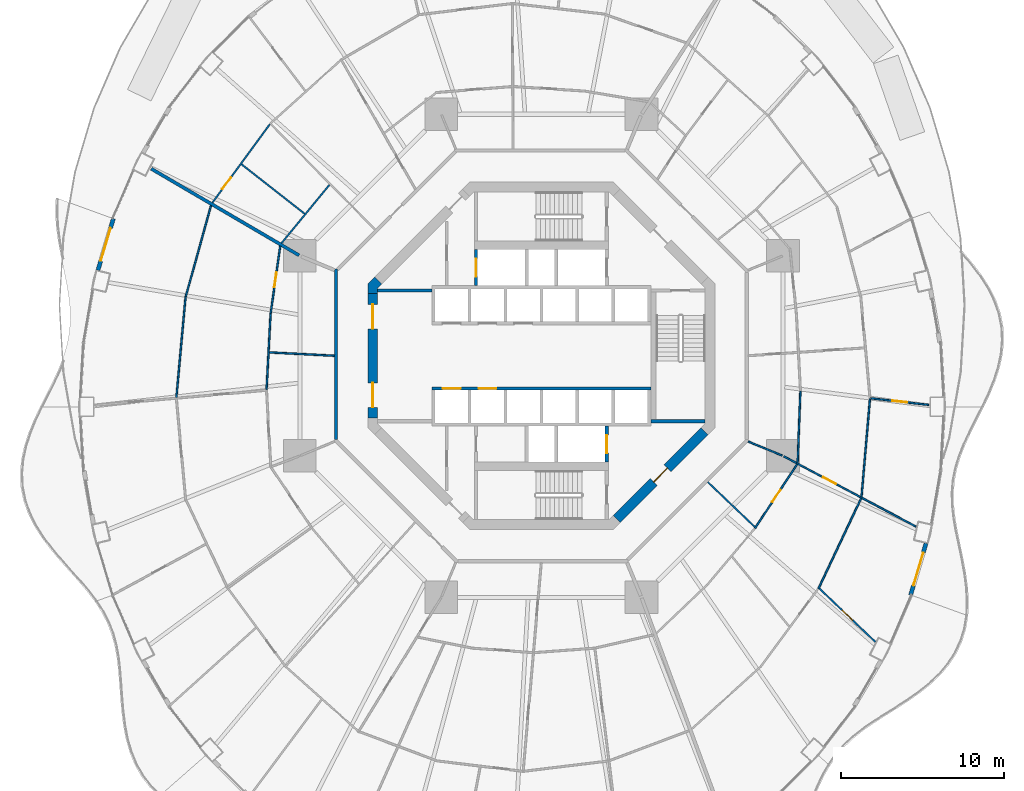
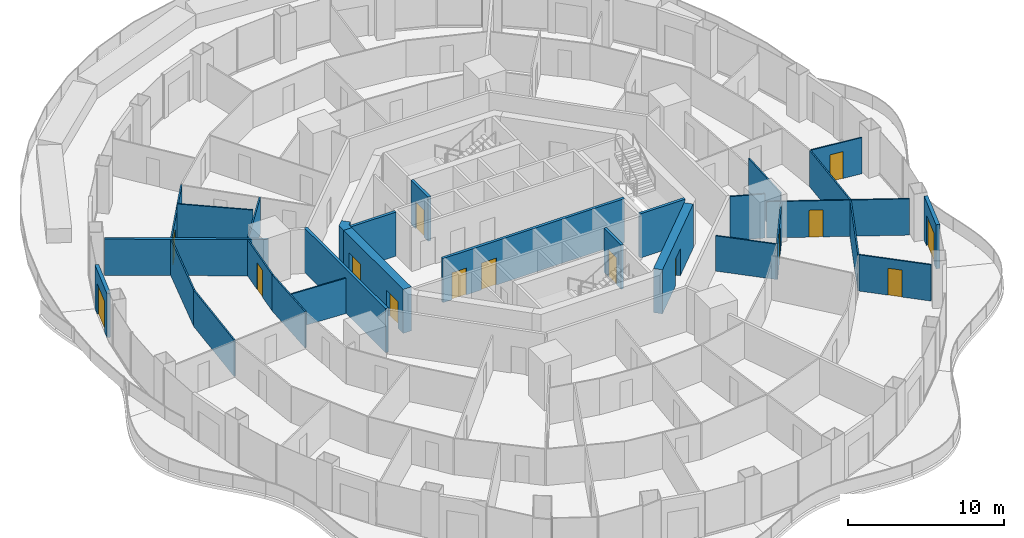
# One storey, part 14 of 20: 29 walls, 15 doors, 15 openings.
"""IFC4 building model written with IfcOpenShell, lengths in metres."""

from ifc_helpers import new_model, si_unit, direction, frame, frame_2d, origin, place, context, subcontext, project, spatial, polyline, rectangle, outline, extrude, material, layer, layer_set, type_object, element, fill, save


model = new_model("IFC4")

# Units and contexts
model_context = context("Model", 3, precision=1e-05, world=origin(), true_north=direction((0.0, 1.0)))
body_context = subcontext(model_context, "Body", "Model", "MODEL_VIEW")
ifc_project = project(units=[si_unit("LENGTHUNIT", "METRE"), si_unit("AREAUNIT", "SQUARE_METRE"), si_unit("VOLUMEUNIT", "CUBIC_METRE"), si_unit("PLANEANGLEUNIT", "RADIAN"), si_unit("MASSUNIT", "GRAM", prefix="KILO")], contexts=[model_context])

# Site, building, storey
site_placement = place(None, origin())
site = spatial("IfcSite", under=ifc_project, at=site_placement, CompositionType="ELEMENT")
building_placement = place(site_placement, origin())
building = spatial("IfcBuilding", under=site, at=building_placement, Name="Nagisa Residences", CompositionType="ELEMENT")
storey_placement = place(building_placement, frame((0.0, 0.0, 119.60009765625)))
storey = spatial("IfcBuildingStorey", under=building, at=storey_placement, Name="L29", CompositionType="ELEMENT", Elevation=119.60009765625)

# Walls
ifc_material_1 = material(Name="Gypsum board on steel studs", Category="steel")
ifc_layer_1 = layer(ifc_material_1, 0.199951171875)
ifc_layer_set_1 = layer_set([ifc_layer_1], Name="Apartment compartment wall EI60 200")
wall_type_1 = type_object("IfcWallType", Name="Apartment compartment wall EI60 200", PredefinedType="PARTITIONING", material=ifc_layer_set_1)
wall_1_placement = place(storey_placement, frame((-14.8251953125, 6.148193359375, 0.0), z_axis=(0.0, 0.0, 1.0), x_axis=(-0.862852031662, 0.505456597006, 0.0)))
element("IfcWall", 1, at=wall_1_placement, inside=storey, type_object=wall_type_1, Name="wall:L29:u03", PredefinedType="PARTITIONING", context=body_context, shape_type="SweptSolid", body=[
    extrude(rectangle(XDim=10.487060546875, YDim=0.199951171875, at=frame_2d((5.24365234375, 0.0))), origin(), (0.0, 0.0, 1.0), 2.827880859375),
])
ifc_material_2 = material(Name="Gypsum board on steel studs", Category="steel")
ifc_layer_2 = layer(ifc_material_2, 0.199951171875)
ifc_layer_set_2 = layer_set([ifc_layer_2], Name="Apartment entry wall EI60 200")
wall_type_2 = type_object("IfcWallType", Name="Apartment entry wall EI60 200", PredefinedType="PARTITIONING", material=ifc_layer_set_2)
wall_2_placement = place(storey_placement, frame((-12.564697265625, 5.304443359375, 0.0), z_axis=(0.0, 0.0, 1.0), x_axis=(0.0, -1.0, 0.0)))
element("IfcWall", 2, at=wall_2_placement, inside=storey, type_object=wall_type_2, Name="wall:L29:u10", PredefinedType="PARTITIONING", context=body_context, shape_type="SweptSolid", body=[
    extrude(rectangle(XDim=10.408935546875, YDim=0.199951171875, at=frame_2d((5.20458984375, 0.0))), origin(), (0.0, 0.0, 1.0), 3.43994140625),
])
ifc_material_3 = material(Name="Gypsum board on steel studs", Category="steel")
ifc_layer_3 = layer(ifc_material_3, 0.10009765625)
ifc_layer_set_3 = layer_set([ifc_layer_3], Name="Apartment partition 100")
wall_type_3 = type_object("IfcWallType", Name="Apartment partition 100", PredefinedType="PARTITIONING", material=ifc_layer_set_3)
wall_3_placement = place(storey_placement, frame((15.848876953125, -2.158203125, 0.0), z_axis=(0.0, 0.0, 1.0), x_axis=(-0.038390448414, -0.999262815014, 0.0)))
element("IfcWall", 3, at=wall_3_placement, inside=storey, type_object=wall_type_3, Name="wall:L29:u15", PredefinedType="PARTITIONING", context=body_context, shape_type="SweptSolid", body=[
    extrude(rectangle(XDim=4.394287109375, YDim=0.10009765625, at=frame_2d((2.197265625, 0.0))), origin(), (0.0, 0.0, 1.0), 3.43994140625),
])

# Wall, opening, door
wall_4_placement = place(storey_placement, frame((20.159912109375, -2.597900390625, 0.0), z_axis=(0.0, 0.0, 1.0), x_axis=(0.993610673305, -0.112861994911, 0.0)))
wall_4 = element("IfcWall", 4, at=wall_4_placement, inside=storey, type_object=wall_type_3, Name="wall:L29:u16", PredefinedType="PARTITIONING", context=body_context, shape_type="SweptSolid", body=[
    extrude(rectangle(XDim=3.560546875, YDim=0.10009765625, at=frame_2d((1.7802734375, 0.0))), origin(), (0.0, 0.0, 1.0), 2.827880859375),
])
opening_1_placement = place(wall_4_placement, frame((1.330322265625, 0.0, 0.0)))
opening_1 = element("IfcOpeningElement", 5, at=opening_1_placement, cuts=wall_4, Name="Opening L29-U45", PredefinedType="OPENING", context=body_context, shape_type="SweptSolid", body=[
    extrude(rectangle(XDim=0.89990234375, YDim=2.10009765625, at=frame_2d((0.449951171875, 1.050048828125))), frame((0.0, 0.06005859375, 0.0), z_axis=(0.0, -1.0, 0.0), x_axis=(1.0, 0.0, 0.0)), (0.0, 0.0, 1.0), 0.1201171875),
])
ifc_material_4 = material(Name="Timber door set", Category="wood")
door_type_1 = type_object("IfcDoorType", Name="Apartment door 900x2100", OperationType="NOTDEFINED", PredefinedType="DOOR", material=ifc_material_4)
door_1_placement = place(opening_1_placement, frame((0.89990234375, 0.0, 0.0), x_axis=(-1.0, 0.0, 0.0)))
door_1 = element("IfcDoor", 6, at=door_1_placement, inside=storey, type_object=door_type_1, Name="Door to living room, Apartment 29C", OperationType="SINGLE_SWING_RIGHT", OverallHeight=2.10009765625, OverallWidth=0.89990234375, PredefinedType="DOOR", context=body_context, shape_type="SweptSolid", body=[
    extrude(rectangle(XDim=0.89990234375, YDim=2.10009765625, at=frame_2d((0.449951171875, 1.050048828125))), frame((0.0, 0.02490234375, 0.0), z_axis=(0.0, -1.0, 0.0), x_axis=(1.0, 0.0, 0.0)), (0.0, 0.0, 1.0), 0.050048828125),
])
fill(opening_1, door_1)

# Walls
wall_5_placement = place(storey_placement, frame((20.10595703125, -2.64208984375, 0.0), z_axis=(0.0, 0.0, 1.0), x_axis=(-0.085672025822, -0.996323393277, 0.0)))
element("IfcWall", 7, at=wall_5_placement, inside=storey, type_object=wall_type_3, Name="wall:L29:u18", PredefinedType="PARTITIONING", context=body_context, shape_type="SweptSolid", body=[
    extrude(rectangle(XDim=6.007080078125, YDim=0.10009765625, at=frame_2d((3.00341796875, 0.0))), origin(), (0.0, 0.0, 1.0), 2.827880859375),
])
wall_6_placement = place(storey_placement, frame((-12.965087890625, 10.474609375, 0.0), z_axis=(0.0, 0.0, 1.0), x_axis=(-0.634943961338, -0.772558195841, 0.0)))
element("IfcWall", 8, at=wall_6_placement, inside=storey, type_object=wall_type_3, Name="wall:L29:u49", PredefinedType="PARTITIONING", context=body_context, shape_type="SweptSolid", body=[
    extrude(rectangle(XDim=4.632080078125, YDim=0.10009765625, at=frame_2d((2.31591796875, 0.0))), origin(), (0.0, 0.0, 1.0), 2.827880859375),
])

# Wall, opening, door
wall_7_placement = place(storey_placement, frame((-16.620849609375, 14.17431640625, 0.0), z_axis=(0.0, 0.0, 1.0), x_axis=(-0.590674917338, -0.806909624449, 0.0)))
wall_7 = element("IfcWall", 9, at=wall_7_placement, inside=storey, type_object=wall_type_3, Name="wall:L29:u50", PredefinedType="PARTITIONING", context=body_context, shape_type="SweptSolid", body=[
    extrude(rectangle(XDim=5.948974609375, YDim=0.10009765625, at=frame_2d((2.974609375, 0.0))), origin(), (0.0, 0.0, 1.0), 2.827880859375),
])
opening_2_placement = place(wall_7_placement, frame((4.0244140625, 0.0, 0.0)))
opening_2 = element("IfcOpeningElement", 10, at=opening_2_placement, cuts=wall_7, Name="Opening L29-U11", PredefinedType="OPENING", context=body_context, shape_type="SweptSolid", body=[
    extrude(rectangle(XDim=0.89990234375, YDim=2.10009765625, at=frame_2d((0.449951171875, 1.050048828125))), frame((0.0, 0.06005859375, 0.0), z_axis=(0.0, -1.0, 0.0), x_axis=(1.0, 0.0, 0.0)), (0.0, 0.0, 1.0), 0.1201171875),
])
door_2_placement = place(opening_2_placement, origin())
door_2 = element("IfcDoor", 11, at=door_2_placement, inside=storey, type_object=door_type_1, Name="Door to en-suite bathroom, Apartment 29A", OperationType="SINGLE_SWING_LEFT", OverallHeight=2.10009765625, OverallWidth=0.89990234375, PredefinedType="DOOR", context=body_context, shape_type="SweptSolid", body=[
    extrude(rectangle(XDim=0.89990234375, YDim=2.10009765625, at=frame_2d((0.449951171875, 1.050048828125))), frame((0.0, 0.02490234375, 0.0), z_axis=(0.0, -1.0, 0.0), x_axis=(1.0, 0.0, 0.0)), (0.0, 0.0, 1.0), 0.050048828125),
])
fill(opening_2, door_2)

# Wall
wall_8_placement = place(storey_placement, frame((-14.490966796875, 8.69677734375, 0.0), z_axis=(0.0, 0.0, 1.0), x_axis=(-0.787139479951, 0.616775031193, 0.0)))
element("IfcWall", 12, at=wall_8_placement, inside=storey, type_object=wall_type_3, Name="wall:L29:u51", PredefinedType="PARTITIONING", context=body_context, shape_type="SweptSolid", body=[
    extrude(rectangle(XDim=4.90673828125, YDim=0.10009765625, at=frame_2d((2.453369140625, 0.0))), origin(), (0.0, 0.0, 1.0), 3.43994140625),
])

# Wall, opening, door
wall_9_placement = place(storey_placement, frame((-15.98388671875, 6.7197265625, 0.0), z_axis=(0.0, 0.0, 1.0), x_axis=(-0.140684869512, -0.990054426529, 0.0)))
wall_9 = element("IfcWall", 13, at=wall_9_placement, inside=storey, type_object=wall_type_3, Name="wall:L29:u52", PredefinedType="PARTITIONING", context=body_context, shape_type="SweptSolid", body=[
    extrude(rectangle(XDim=4.177001953125, YDim=0.10009765625, at=frame_2d((2.08837890625, 0.0))), origin(), (0.0, 0.0, 1.0), 2.827880859375),
])
opening_3_placement = place(wall_9_placement, frame((1.638427734375, 0.0, 0.0)))
opening_3 = element("IfcOpeningElement", 14, at=opening_3_placement, cuts=wall_9, Name="Opening L29-U34", PredefinedType="OPENING", context=body_context, shape_type="SweptSolid", body=[
    extrude(rectangle(XDim=0.89990234375, YDim=2.10009765625, at=frame_2d((0.449951171875, 1.050048828125))), frame((0.0, 0.06005859375, 0.0), z_axis=(0.0, -1.0, 0.0), x_axis=(1.0, 0.0, 0.0)), (0.0, 0.0, 1.0), 0.1201171875),
])
door_3_placement = place(opening_3_placement, origin())
door_3 = element("IfcDoor", 15, at=door_3_placement, inside=storey, type_object=door_type_1, Name="Door to laundry, Apartment 29B", OperationType="SINGLE_SWING_RIGHT", OverallHeight=2.10009765625, OverallWidth=0.89990234375, PredefinedType="DOOR", context=body_context, shape_type="SweptSolid", body=[
    extrude(rectangle(XDim=0.89990234375, YDim=2.10009765625, at=frame_2d((0.449951171875, 1.050048828125))), frame((0.0, 0.02490234375, 0.0), z_axis=(0.0, -1.0, 0.0), x_axis=(1.0, 0.0, 0.0)), (0.0, 0.0, 1.0), 0.050048828125),
])
fill(opening_3, door_3)

# Walls
wall_10_placement = place(storey_placement, frame((-20.220703125, 9.19677734375, 0.0), z_axis=(0.0, 0.0, 1.0), x_axis=(-0.267398009191, -0.963586168789, 0.0)))
element("IfcWall", 16, at=wall_10_placement, inside=storey, type_object=wall_type_3, Name="wall:L29:u53", PredefinedType="PARTITIONING", context=body_context, shape_type="SweptSolid", body=[
    extrude(rectangle(XDim=5.78759765625, YDim=0.10009765625, at=frame_2d((2.893798828125, 0.0))), origin(), (0.0, 0.0, 1.0), 2.827880859375),
])
wall_11_placement = place(storey_placement, frame((-16.575927734375, 2.584716796875, 0.0), z_axis=(0.0, 0.0, 1.0), x_axis=(-0.052509224895, -0.998620439056, 0.0)))
element("IfcWall", 17, at=wall_11_placement, inside=storey, type_object=wall_type_3, Name="wall:L29:u54", PredefinedType="PARTITIONING", context=body_context, shape_type="SweptSolid", body=[
    extrude(rectangle(XDim=4.6494140625, YDim=0.10009765625, at=frame_2d((2.32470703125, 0.0))), origin(), (0.0, 0.0, 1.0), 2.827880859375),
])
wall_12_placement = place(storey_placement, frame((-21.777099609375, 3.621337890625, 0.0), z_axis=(0.0, 0.0, 1.0), x_axis=(-0.090606877484, -0.995886737412, 0.0)))
element("IfcWall", 18, at=wall_12_placement, inside=storey, type_object=wall_type_3, Name="wall:L29:u55", PredefinedType="PARTITIONING", context=body_context, shape_type="SweptSolid", body=[
    extrude(rectangle(XDim=6.189208984375, YDim=0.10009765625, at=frame_2d((3.0947265625, 0.0))), origin(), (0.0, 0.0, 1.0), 2.827880859375),
])
wall_13_placement = place(storey_placement, frame((-12.66455078125, 0.005126953125, 0.0), z_axis=(0.0, 0.0, 1.0), x_axis=(-0.998672861712, 0.051502575462, 0.0)))
element("IfcWall", 19, at=wall_13_placement, inside=storey, type_object=wall_type_3, Name="wall:L29:u56", PredefinedType="PARTITIONING", context=body_context, shape_type="SweptSolid", body=[
    extrude(rectangle(XDim=3.991455078125, YDim=0.10009765625, at=frame_2d((1.99560546875, 0.0))), origin(), (0.0, 0.0, 1.0), 2.755859375),
])
wall_14_placement = place(storey_placement, frame((10.18359375, -7.72705078125, 0.0), z_axis=(0.0, 0.0, 1.0), x_axis=(0.723654892782, -0.690162007179, 0.0)))
element("IfcWall", 20, at=wall_14_placement, inside=storey, type_object=wall_type_3, Name="wall:L29:u91", PredefinedType="PARTITIONING", context=body_context, shape_type="SweptSolid", body=[
    extrude(rectangle(XDim=3.97998046875, YDim=0.10009765625, at=frame_2d((1.989990234375, 0.0))), origin(), (0.0, 0.0, 1.0), 2.755859375),
])

# Wall, opening, door
wall_15_placement = place(storey_placement, frame((13.072265625, -10.550048828125, 0.0), z_axis=(0.0, 0.0, 1.0), x_axis=(0.550614843759, 0.834759422727, 0.0)))
wall_15 = element("IfcWall", 21, at=wall_15_placement, inside=storey, type_object=wall_type_3, Name="wall:L29:u92", PredefinedType="PARTITIONING", context=body_context, shape_type="SweptSolid", body=[
    extrude(rectangle(XDim=4.6826171875, YDim=0.10009765625, at=frame_2d((2.34130859375, 0.0))), origin(), (0.0, 0.0, 1.0), 2.827880859375),
])
opening_4_placement = place(wall_15_placement, frame((1.91650390625, 0.0, 0.0)))
opening_4 = element("IfcOpeningElement", 22, at=opening_4_placement, cuts=wall_15, Name="Opening L29-U51", PredefinedType="OPENING", context=body_context, shape_type="SweptSolid", body=[
    extrude(rectangle(XDim=0.89990234375, YDim=2.10009765625, at=frame_2d((0.449951171875, 1.050048828125))), frame((0.0, 0.06005859375, 0.0), z_axis=(0.0, -1.0, 0.0), x_axis=(1.0, 0.0, 0.0)), (0.0, 0.0, 1.0), 0.1201171875),
])
door_4_placement = place(opening_4_placement, origin())
door_4 = element("IfcDoor", 23, at=door_4_placement, inside=storey, type_object=door_type_1, Name="Door to laundry, Apartment 29C", OperationType="SINGLE_SWING_LEFT", OverallHeight=2.10009765625, OverallWidth=0.89990234375, PredefinedType="DOOR", context=body_context, shape_type="SweptSolid", body=[
    extrude(rectangle(XDim=0.89990234375, YDim=2.10009765625, at=frame_2d((0.449951171875, 1.050048828125))), frame((0.0, 0.02490234375, 0.0), z_axis=(0.0, -1.0, 0.0), x_axis=(1.0, 0.0, 0.0)), (0.0, 0.0, 1.0), 0.050048828125),
])
fill(opening_4, door_4)

wall_16_placement = place(storey_placement, frame((17.010009765625, -14.238037109375, 0.0), z_axis=(0.0, 0.0, 1.0), x_axis=(0.723650186498, -0.690166941821, 0.0)))
wall_16 = element("IfcWall", 24, at=wall_16_placement, inside=storey, type_object=wall_type_3, Name="wall:L29:u93", PredefinedType="PARTITIONING", context=body_context, shape_type="SweptSolid", body=[
    extrude(rectangle(XDim=4.739501953125, YDim=0.10009765625, at=frame_2d((2.36962890625, 0.0))), origin(), (0.0, 0.0, 1.0), 2.827880859375),
])
opening_5_placement = place(wall_16_placement, frame((1.919677734375, 0.0, 0.0)))
opening_5 = element("IfcOpeningElement", 25, at=opening_5_placement, cuts=wall_16, Name="Opening L29-U49", PredefinedType="OPENING", context=body_context, shape_type="SweptSolid", body=[
    extrude(rectangle(XDim=0.89990234375, YDim=2.10009765625, at=frame_2d((0.449951171875, 1.050048828125))), frame((0.0, 0.06005859375, 0.0), z_axis=(0.0, -1.0, 0.0), x_axis=(1.0, 0.0, 0.0)), (0.0, 0.0, 1.0), 0.1201171875),
])
door_5_placement = place(opening_5_placement, origin())
door_5 = element("IfcDoor", 26, at=door_5_placement, inside=storey, type_object=door_type_1, Name="Door to master bedroom, Apartment 29C", OperationType="SINGLE_SWING_LEFT", OverallHeight=2.10009765625, OverallWidth=0.89990234375, PredefinedType="DOOR", context=body_context, shape_type="SweptSolid", body=[
    extrude(rectangle(XDim=0.89990234375, YDim=2.10009765625, at=frame_2d((0.449951171875, 1.050048828125))), frame((0.0, 0.02490234375, 0.0), z_axis=(0.0, -1.0, 0.0), x_axis=(1.0, 0.0, 0.0)), (0.0, 0.0, 1.0), 0.050048828125),
])
fill(opening_5, door_5)

# Walls
wall_17_placement = place(storey_placement, frame((16.95263671875, -14.24853515625, 0.0), z_axis=(0.0, 0.0, 1.0), x_axis=(0.427456178439, 0.904036069808, 0.0)))
element("IfcWall", 27, at=wall_17_placement, inside=storey, type_object=wall_type_3, Name="wall:L29:u94", PredefinedType="PARTITIONING", context=body_context, shape_type="SweptSolid", body=[
    extrude(rectangle(XDim=6.113037109375, YDim=0.10009765625, at=frame_2d((3.056640625, 0.0))), origin(), (0.0, 0.0, 1.0), 2.827880859375),
])
wall_18_placement = place(storey_placement, frame((12.6572265625, -5.24267578125, 0.0), z_axis=(0.0, 0.0, 1.0), x_axis=(0.923864733477, -0.382719158442, 0.0)))
element("IfcWall", 28, at=wall_18_placement, inside=storey, type_object=wall_type_3, Name="wall:L29:u95", PredefinedType="PARTITIONING", context=body_context, shape_type="SweptSolid", body=[
    extrude(rectangle(XDim=2.25, YDim=0.10009765625, at=frame_2d((1.125, 0.0))), origin(), (0.0, 0.0, 1.0), 3.43994140625),
])

# Wall, opening, door
wall_19_placement = place(storey_placement, frame((14.826171875, -6.146484375, 0.0), z_axis=(0.0, 0.0, 1.0), x_axis=(0.883012998471, -0.469348532044, 0.0)))
wall_19 = element("IfcWall", 29, at=wall_19_placement, inside=storey, type_object=wall_type_3, Name="wall:L29:u96", PredefinedType="PARTITIONING", context=body_context, shape_type="SweptSolid", body=[
    extrude(rectangle(XDim=9.172119140625, YDim=0.10009765625, at=frame_2d((4.5859375, 0.0))), origin(), (0.0, 0.0, 1.0), 2.827880859375),
])
opening_6_placement = place(wall_19_placement, frame((2.728271484375, 0.0, 0.0)))
opening_6 = element("IfcOpeningElement", 30, at=opening_6_placement, cuts=wall_19, Name="Opening L29-U47", PredefinedType="OPENING", context=body_context, shape_type="SweptSolid", body=[
    extrude(rectangle(XDim=0.89990234375, YDim=2.10009765625, at=frame_2d((0.449951171875, 1.050048828125))), frame((0.0, 0.06005859375, 0.0), z_axis=(0.0, -1.0, 0.0), x_axis=(1.0, 0.0, 0.0)), (0.0, 0.0, 1.0), 0.1201171875),
])
door_6_placement = place(opening_6_placement, frame((0.89990234375, 0.0, 0.0), x_axis=(-1.0, 0.0, 0.0)))
door_6 = element("IfcDoor", 31, at=door_6_placement, inside=storey, type_object=door_type_1, Name="Door to kitchen, Apartment 29C", OperationType="SINGLE_SWING_RIGHT", OverallHeight=2.10009765625, OverallWidth=0.89990234375, PredefinedType="DOOR", context=body_context, shape_type="SweptSolid", body=[
    extrude(rectangle(XDim=0.89990234375, YDim=2.10009765625, at=frame_2d((0.449951171875, 1.050048828125))), frame((0.0, 0.02490234375, 0.0), z_axis=(0.0, -1.0, 0.0), x_axis=(1.0, 0.0, 0.0)), (0.0, 0.0, 1.0), 0.050048828125),
])
fill(opening_6, door_6)

ifc_material_5 = material(Name="Precast concrete C40/50", Category="concrete")
ifc_layer_4 = layer(ifc_material_5, 0.25)
ifc_layer_set_4 = layer_set([ifc_layer_4], Name="BALCONY DOOR WALL 250")
wall_type_4 = type_object("IfcWallType", Name="BALCONY DOOR WALL 250", PredefinedType="SOLIDWALL", material=ifc_layer_set_4)
wall_20_placement = place(storey_placement, frame((-27.1396484375, 5.236572265625, 0.0), z_axis=(0.0, 0.0, 1.0), x_axis=(0.285909915381, 0.958256500258, 0.0)))
wall_20 = element("IfcWall", 32, at=wall_20_placement, inside=storey, type_object=wall_type_4, Name="wall:L29:bay21", PredefinedType="SOLIDWALL", context=body_context, shape_type="SweptSolid", body=[
    extrude(rectangle(XDim=3.302978515625, YDim=0.25, at=frame_2d((1.6513671875, 0.0))), origin(), (0.0, 0.0, 1.0), 3.43994140625),
])
opening_7_placement = place(wall_20_placement, frame((0.6015625, 0.0, 0.0)))
opening_7 = element("IfcOpeningElement", 33, at=opening_7_placement, cuts=wall_20, Name="Opening BD-L29-08", PredefinedType="OPENING", context=body_context, shape_type="SweptSolid", body=[
    extrude(rectangle(XDim=2.10009765625, YDim=2.39990234375, at=frame_2d((1.050048828125, 1.199951171875))), frame((0.0, 0.135009765625, 0.0), z_axis=(0.0, -1.0, 0.0), x_axis=(1.0, 0.0, 0.0)), (0.0, 0.0, 1.0), 0.27001953125),
])
ifc_material_6 = material(Name="Aluminium and clear glass", Category="aluminium")
door_type_2 = type_object("IfcDoorType", Name="BALCONY SLIDING DOOR 2100x2400", OperationType="SLIDING_TO_LEFT", PredefinedType="DOOR", material=ifc_material_6)
door_7_placement = place(opening_7_placement, origin())
door_7 = element("IfcDoor", 34, at=door_7_placement, inside=storey, type_object=door_type_2, Name="door:L29:bay21", OperationType="SLIDING_TO_LEFT", OverallHeight=2.39990234375, OverallWidth=2.10009765625, PredefinedType="DOOR", context=body_context, shape_type="SweptSolid", body=[
    extrude(rectangle(XDim=2.10009765625, YDim=2.39990234375, at=frame_2d((1.050048828125, 1.199951171875))), frame((0.0, 0.02490234375, 0.0), z_axis=(0.0, -1.0, 0.0), x_axis=(1.0, 0.0, 0.0)), (0.0, 0.0, 1.0), 0.050048828125),
])
fill(opening_7, door_7)

wall_21_placement = place(storey_placement, frame((23.53955078125, -11.471923828125, 0.0), z_axis=(0.0, 0.0, 1.0), x_axis=(-0.285821792767, -0.958282788523, 0.0)))
wall_21 = element("IfcWall", 35, at=wall_21_placement, inside=storey, type_object=wall_type_4, Name="wall:L29:bay45", PredefinedType="SOLIDWALL", context=body_context, shape_type="SweptSolid", body=[
    extrude(rectangle(XDim=3.302978515625, YDim=0.25, at=frame_2d((1.6513671875, 0.0))), origin(), (0.0, 0.0, 1.0), 3.43994140625),
])
opening_8_placement = place(wall_21_placement, frame((0.6015625, 0.0, 0.0)))
opening_8 = element("IfcOpeningElement", 36, at=opening_8_placement, cuts=wall_21, Name="Opening BD-L29-16", PredefinedType="OPENING", context=body_context, shape_type="SweptSolid", body=[
    extrude(rectangle(XDim=2.10009765625, YDim=2.39990234375, at=frame_2d((1.050048828125, 1.199951171875))), frame((0.0, 0.135009765625, 0.0), z_axis=(0.0, -1.0, 0.0), x_axis=(1.0, 0.0, 0.0)), (0.0, 0.0, 1.0), 0.27001953125),
])
door_8_placement = place(opening_8_placement, origin())
door_8 = element("IfcDoor", 37, at=door_8_placement, inside=storey, type_object=door_type_2, Name="door:L29:bay45", OperationType="SLIDING_TO_LEFT", OverallHeight=2.39990234375, OverallWidth=2.10009765625, PredefinedType="DOOR", context=body_context, shape_type="SweptSolid", body=[
    extrude(rectangle(XDim=2.10009765625, YDim=2.39990234375, at=frame_2d((1.050048828125, 1.199951171875))), frame((0.0, 0.02490234375, 0.0), z_axis=(0.0, -1.0, 0.0), x_axis=(1.0, 0.0, 0.0)), (0.0, 0.0, 1.0), 0.050048828125),
])
fill(opening_8, door_8)

# Wall
ifc_material_7 = material(Name="Gypsum board on steel studs", Category="steel")
ifc_layer_5 = layer(ifc_material_7, 0.199951171875)
ifc_layer_set_5 = layer_set([ifc_layer_5], Name="Core partition 200")
wall_type_5 = type_object("IfcWallType", Name="Core partition 200", PredefinedType="PARTITIONING", material=ifc_layer_set_5)
wall_22_placement = place(storey_placement, frame((-10.024658203125, 4.0, 0.0), z_axis=(0.0, 0.0, 1.0), x_axis=(1.0, 0.0, 0.0)))
element("IfcWall", 38, at=wall_22_placement, inside=storey, type_object=wall_type_5, Name="wall:L29:PNW", PredefinedType="PARTITIONING", context=body_context, shape_type="SweptSolid", body=[
    extrude(rectangle(XDim=3.32470703125, YDim=0.199951171875, at=frame_2d((1.662353515625, 0.0))), origin(), (0.0, 0.0, 1.0), 3.43994140625),
])

# Wall, openings, doors
ifc_material_8 = material(Name="Concrete C60", Category="concrete")
ifc_layer_6 = layer(ifc_material_8, 0.60009765625)
ifc_layer_set_6 = layer_set([ifc_layer_6], Name="Core shear wall 600")
wall_type_6 = type_object("IfcWallType", Name="Core shear wall 600", PredefinedType="SHEAR", material=ifc_layer_set_6)
wall_23_placement = place(storey_placement, frame((-10.32470703125, 3.80078125, 0.0), z_axis=(0.0, 0.0, 1.0), x_axis=(0.0, -1.0, 0.0)))
wall_23 = element("IfcWall", 39, at=wall_23_placement, inside=storey, type_object=wall_type_6, Name="wall:L29:core:flat4", PredefinedType="SHEAR", context=body_context, shape_type="SweptSolid", body=[
    extrude(rectangle(XDim=7.6015625, YDim=0.60009765625, at=frame_2d((3.80078125, 0.0))), origin(), (0.0, 0.0, 1.0), 3.43994140625),
])
opening_9_placement = place(wall_23_placement, frame((0.65087890625, 0.0, 0.0)))
opening_9 = element("IfcOpeningElement", 40, at=opening_9_placement, cuts=wall_23, Name="Opening L29-C17", PredefinedType="OPENING", context=body_context, shape_type="SweptSolid", body=[
    extrude(rectangle(XDim=1.5, YDim=2.10009765625, at=frame_2d((0.75, 1.050048828125))), frame((0.0, 0.31005859375, 0.0), z_axis=(0.0, -1.0, 0.0), x_axis=(1.0, 0.0, 0.0)), (0.0, 0.0, 1.0), 0.6201171875),
])
opening_10_placement = place(wall_23_placement, frame((5.450927734375, 0.0, 0.0)))
opening_10 = element("IfcOpeningElement", 41, at=opening_10_placement, cuts=wall_23, Name="Opening L29-C18", PredefinedType="OPENING", context=body_context, shape_type="SweptSolid", body=[
    extrude(rectangle(XDim=1.5, YDim=2.10009765625, at=frame_2d((0.75, 1.050048828125))), frame((0.0, 0.31005859375, 0.0), z_axis=(0.0, -1.0, 0.0), x_axis=(1.0, 0.0, 0.0)), (0.0, 0.0, 1.0), 0.6201171875),
])
ifc_material_9 = material(Name="Steel fire door", Category="steel")
door_type_3 = type_object("IfcDoorType", Name="Fire door EI60 1500x2100 double door single swing", OperationType="DOUBLE_DOOR_SINGLE_SWING", PredefinedType="DOOR", material=ifc_material_9)
door_9_placement = place(opening_9_placement, origin())
door_9 = element("IfcDoor", 42, at=door_9_placement, inside=storey, type_object=door_type_3, Name="Lift lobby door L29 1", OperationType="DOUBLE_DOOR_SINGLE_SWING", OverallHeight=2.10009765625, OverallWidth=1.5, PredefinedType="DOOR", context=body_context, shape_type="SweptSolid", body=[
    extrude(rectangle(XDim=1.5, YDim=2.10009765625, at=frame_2d((0.75, 1.050048828125))), frame((0.0, 0.02490234375, 0.0), z_axis=(0.0, -1.0, 0.0), x_axis=(1.0, 0.0, 0.0)), (0.0, 0.0, 1.0), 0.050048828125),
])
fill(opening_9, door_9)
door_10_placement = place(opening_10_placement, origin())
door_10 = element("IfcDoor", 43, at=door_10_placement, inside=storey, type_object=door_type_3, Name="Lift lobby door L29 2", OperationType="DOUBLE_DOOR_SINGLE_SWING", OverallHeight=2.10009765625, OverallWidth=1.5, PredefinedType="DOOR", context=body_context, shape_type="SweptSolid", body=[
    extrude(rectangle(XDim=1.5, YDim=2.10009765625, at=frame_2d((0.75, 1.050048828125))), frame((0.0, 0.02490234375, 0.0), z_axis=(0.0, -1.0, 0.0), x_axis=(1.0, 0.0, 0.0)), (0.0, 0.0, 1.0), 0.050048828125),
])
fill(opening_10, door_10)

# Wall, opening, door
wall_24_placement = place(storey_placement, frame((4.613037109375, -9.98828125, 0.0), z_axis=(0.0, 0.0, 1.0), x_axis=(0.707106781187, 0.707106781187, 0.0)))
wall_24 = element("IfcWall", 44, at=wall_24_placement, inside=storey, type_object=wall_type_6, Name="wall:L29:core:flat7", PredefinedType="SHEAR", context=body_context, shape_type="SweptSolid", body=[
    extrude(rectangle(XDim=7.601806640625, YDim=0.60009765625, at=frame_2d((3.80078125, 0.0))), origin(), (0.0, 0.0, 1.0), 3.43994140625),
])
opening_11_placement = place(wall_24_placement, frame((3.200927734375, 0.0, 0.0)))
opening_11 = element("IfcOpeningElement", 45, at=opening_11_placement, cuts=wall_24, Name="Opening L29-C16", PredefinedType="OPENING", context=body_context, shape_type="SweptSolid", body=[
    extrude(rectangle(XDim=1.199951171875, YDim=2.10009765625, at=frame_2d((0.60009765625, 1.050048828125))), frame((0.0, 0.31005859375, 0.0), z_axis=(0.0, -1.0, 0.0), x_axis=(1.0, 0.0, 0.0)), (0.0, 0.0, 1.0), 0.6201171875),
])
ifc_material_10 = material(Name="Steel fire door", Category="steel")
door_type_4 = type_object("IfcDoorType", Name="Fire door EI60 1200x2100 single swing", OperationType="NOTDEFINED", PredefinedType="DOOR", material=ifc_material_10)
door_11_placement = place(opening_11_placement, origin())
door_11 = element("IfcDoor", 46, at=door_11_placement, inside=storey, type_object=door_type_4, Name="Firefighting lobby 2 door L29", OperationType="SINGLE_SWING_RIGHT", OverallHeight=2.10009765625, OverallWidth=1.199951171875, PredefinedType="DOOR", context=body_context, shape_type="SweptSolid", body=[
    extrude(rectangle(XDim=1.199951171875, YDim=2.10009765625, at=frame_2d((0.60009765625, 1.050048828125))), frame((0.0, 0.02490234375, 0.0), z_axis=(0.0, -1.0, 0.0), x_axis=(1.0, 0.0, 0.0)), (0.0, 0.0, 1.0), 0.050048828125),
])
fill(opening_11, door_11)

# Wall
wall_25_placement = place(storey_placement, origin())
element("IfcWall", 47, at=wall_25_placement, inside=storey, type_object=wall_type_6, Name="wall:L29:core:pier3", PredefinedType="SHEAR", context=body_context, shape_type="SweptSolid", body=[
    extrude(outline(polyline([(-10.200439453125, 4.8251953125), (-9.776123046875, 4.40087890625), (-10.024658203125, 4.15234375), (-10.024658203125, 3.80078125), (-10.62451171875, 3.80078125), (-10.62451171875, 4.40087890625), (-10.200439453125, 4.8251953125)])), origin(), (0.0, 0.0, 1.0), 3.43994140625),
])

# Wall, opening, door
ifc_material_11 = material(Name="Concrete C60", Category="concrete")
ifc_layer_7 = layer(ifc_material_11, 0.199951171875)
ifc_layer_set_7 = layer_set([ifc_layer_7], Name="Lift shaft wall 200")
wall_type_7 = type_object("IfcWallType", Name="Lift shaft wall 200", PredefinedType="SOLIDWALL", material=ifc_layer_set_7)
wall_26_placement = place(storey_placement, frame((-4.0, 4.300048828125, 0.0), z_axis=(0.0, 0.0, 1.0), x_axis=(0.0, 1.0, 0.0)))
wall_26 = element("IfcWall", 48, at=wall_26_placement, inside=storey, type_object=wall_type_7, Name="wall:L29:Nb4", PredefinedType="SOLIDWALL", context=body_context, shape_type="SweptSolid", body=[
    extrude(rectangle(XDim=2.199951171875, YDim=0.199951171875, at=frame_2d((1.10009765625, 0.0))), origin(), (0.0, 0.0, 1.0), 3.43994140625),
])
opening_12_placement = place(wall_26_placement, frame((0.550048828125, 0.0, 0.0)))
opening_12 = element("IfcOpeningElement", 49, at=opening_12_placement, cuts=wall_26, Name="Opening L29-C08", PredefinedType="OPENING", context=body_context, shape_type="SweptSolid", body=[
    extrude(rectangle(XDim=1.10009765625, YDim=2.10009765625, at=frame_2d((0.550048828125, 1.050048828125))), frame((0.0, 0.10986328125, 0.0), z_axis=(0.0, -1.0, 0.0), x_axis=(1.0, 0.0, 0.0)), (0.0, 0.0, 1.0), 0.219970703125),
])
ifc_material_12 = material(Name="Stainless steel", Category="steel")
door_type_5 = type_object("IfcDoorType", Name="Lift landing door 1100x2100", OperationType="DOUBLE_DOOR_SLIDING", PredefinedType="DOOR", material=ifc_material_12)
door_12_placement = place(opening_12_placement, origin())
door_12 = element("IfcDoor", 50, at=door_12_placement, inside=storey, type_object=door_type_5, Name="Landing door SV L29", OperationType="DOUBLE_DOOR_SLIDING", OverallHeight=2.10009765625, OverallWidth=1.10009765625, PredefinedType="DOOR", context=body_context, shape_type="SweptSolid", body=[
    extrude(rectangle(XDim=1.10009765625, YDim=2.10009765625, at=frame_2d((0.550048828125, 1.050048828125))), frame((0.0, 0.02490234375, 0.0), z_axis=(0.0, -1.0, 0.0), x_axis=(1.0, 0.0, 0.0)), (0.0, 0.0, 1.0), 0.050048828125),
])
fill(opening_12, door_12)

wall_27_placement = place(storey_placement, frame((4.0, -6.5, 0.0), z_axis=(0.0, 0.0, 1.0), x_axis=(0.0, 1.0, 0.0)))
wall_27 = element("IfcWall", 51, at=wall_27_placement, inside=storey, type_object=wall_type_7, Name="wall:L29:Sb3", PredefinedType="SOLIDWALL", context=body_context, shape_type="SweptSolid", body=[
    extrude(rectangle(XDim=2.199951171875, YDim=0.199951171875, at=frame_2d((1.10009765625, 0.0))), origin(), (0.0, 0.0, 1.0), 3.43994140625),
])
opening_13_placement = place(wall_27_placement, frame((0.550048828125, 0.0, 0.0)))
opening_13 = element("IfcOpeningElement", 52, at=opening_13_placement, cuts=wall_27, Name="Opening L29-C07", PredefinedType="OPENING", context=body_context, shape_type="SweptSolid", body=[
    extrude(rectangle(XDim=1.10009765625, YDim=2.10009765625, at=frame_2d((0.550048828125, 1.050048828125))), frame((0.0, 0.10986328125, 0.0), z_axis=(0.0, -1.0, 0.0), x_axis=(1.0, 0.0, 0.0)), (0.0, 0.0, 1.0), 0.219970703125),
])
door_13_placement = place(opening_13_placement, origin())
door_13 = element("IfcDoor", 53, at=door_13_placement, inside=storey, type_object=door_type_5, Name="Landing door FL2 L29", OperationType="DOUBLE_DOOR_SLIDING", OverallHeight=2.10009765625, OverallWidth=1.10009765625, PredefinedType="DOOR", context=body_context, shape_type="SweptSolid", body=[
    extrude(rectangle(XDim=1.10009765625, YDim=2.10009765625, at=frame_2d((0.550048828125, 1.050048828125))), frame((0.0, 0.02490234375, 0.0), z_axis=(0.0, -1.0, 0.0), x_axis=(1.0, 0.0, 0.0)), (0.0, 0.0, 1.0), 0.050048828125),
])
fill(opening_13, door_13)

# Wall, openings, doors
wall_28_placement = place(storey_placement, frame((-6.699951171875, -2.0, 0.0), z_axis=(0.0, 0.0, 1.0), x_axis=(1.0, 0.0, 0.0)))
wall_28 = element("IfcWall", 54, at=wall_28_placement, inside=storey, type_object=wall_type_7, Name="wall:L29:Sfront", PredefinedType="SOLIDWALL", context=body_context, shape_type="SweptSolid", body=[
    extrude(rectangle(XDim=13.39990234375, YDim=0.199951171875, at=frame_2d((6.699951171875, 0.0))), origin(), (0.0, 0.0, 1.0), 3.43994140625),
])
opening_14_placement = place(wall_28_placement, frame((0.64990234375, 0.0, 0.0)))
opening_14 = element("IfcOpeningElement", 55, at=opening_14_placement, cuts=wall_28, Name="Opening L29-C04", PredefinedType="OPENING", context=body_context, shape_type="SweptSolid", body=[
    extrude(rectangle(XDim=1.10009765625, YDim=2.10009765625, at=frame_2d((0.550048828125, 1.050048828125))), frame((0.0, 0.10986328125, 0.0), z_axis=(0.0, -1.0, 0.0), x_axis=(1.0, 0.0, 0.0)), (0.0, 0.0, 1.0), 0.219970703125),
])
opening_15_placement = place(wall_28_placement, frame((2.85009765625, 0.0, 0.0)))
opening_15 = element("IfcOpeningElement", 56, at=opening_15_placement, cuts=wall_28, Name="Opening L29-C05", PredefinedType="OPENING", context=body_context, shape_type="SweptSolid", body=[
    extrude(rectangle(XDim=1.10009765625, YDim=2.10009765625, at=frame_2d((0.550048828125, 1.050048828125))), frame((0.0, 0.10986328125, 0.0), z_axis=(0.0, -1.0, 0.0), x_axis=(1.0, 0.0, 0.0)), (0.0, 0.0, 1.0), 0.219970703125),
])
door_14_placement = place(opening_14_placement, origin())
door_14 = element("IfcDoor", 57, at=door_14_placement, inside=storey, type_object=door_type_5, Name="Landing door A4 L29", OperationType="DOUBLE_DOOR_SLIDING", OverallHeight=2.10009765625, OverallWidth=1.10009765625, PredefinedType="DOOR", context=body_context, shape_type="SweptSolid", body=[
    extrude(rectangle(XDim=1.10009765625, YDim=2.10009765625, at=frame_2d((0.550048828125, 1.050048828125))), frame((0.0, 0.02490234375, 0.0), z_axis=(0.0, -1.0, 0.0), x_axis=(1.0, 0.0, 0.0)), (0.0, 0.0, 1.0), 0.050048828125),
])
fill(opening_14, door_14)
door_15_placement = place(opening_15_placement, origin())
door_15 = element("IfcDoor", 58, at=door_15_placement, inside=storey, type_object=door_type_5, Name="Landing door A5 L29", OperationType="DOUBLE_DOOR_SLIDING", OverallHeight=2.10009765625, OverallWidth=1.10009765625, PredefinedType="DOOR", context=body_context, shape_type="SweptSolid", body=[
    extrude(rectangle(XDim=1.10009765625, YDim=2.10009765625, at=frame_2d((0.550048828125, 1.050048828125))), frame((0.0, 0.02490234375, 0.0), z_axis=(0.0, -1.0, 0.0), x_axis=(1.0, 0.0, 0.0)), (0.0, 0.0, 1.0), 0.050048828125),
])
fill(opening_15, door_15)

# Wall
ifc_material_13 = material(Name="Concrete C60", Category="concrete")
ifc_layer_8 = layer(ifc_material_13, 0.199951171875)
ifc_layer_set_8 = layer_set([ifc_layer_8], Name="Stair enclosure wall 200")
wall_type_8 = type_object("IfcWallType", Name="Stair enclosure wall 200", PredefinedType="SOLIDWALL", material=ifc_layer_set_8)
wall_29_placement = place(storey_placement, origin())
element("IfcWall", 59, at=wall_29_placement, inside=storey, type_object=wall_type_8, Name="wall:L29:SE_s", PredefinedType="SOLIDWALL", context=body_context, shape_type="SweptSolid", body=[
    extrude(outline(polyline([(10.024658203125, -4.10009765625), (6.699951171875, -4.10009765625), (6.699951171875, -3.89990234375), (10.024658203125, -3.89990234375), (10.024658203125, -4.10009765625)])), origin(), (0.0, 0.0, 1.0), 3.43994140625),
])

save(model, "model.ifc")
